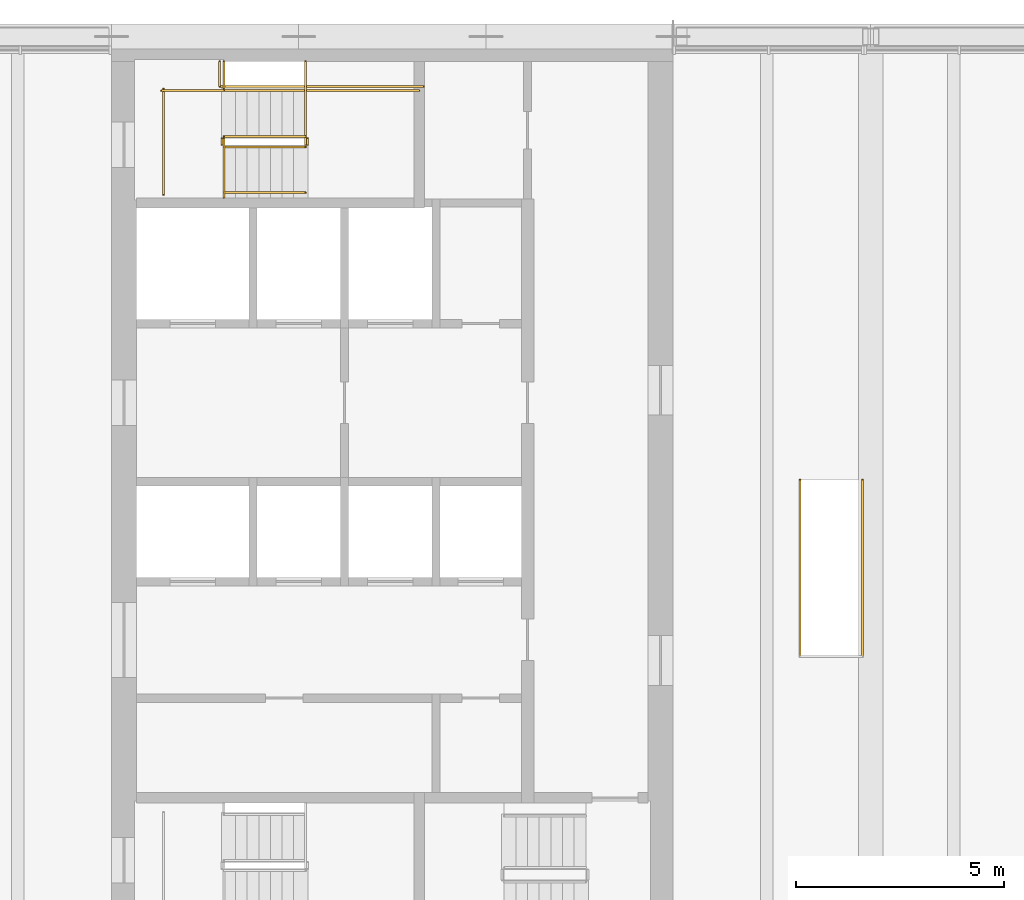
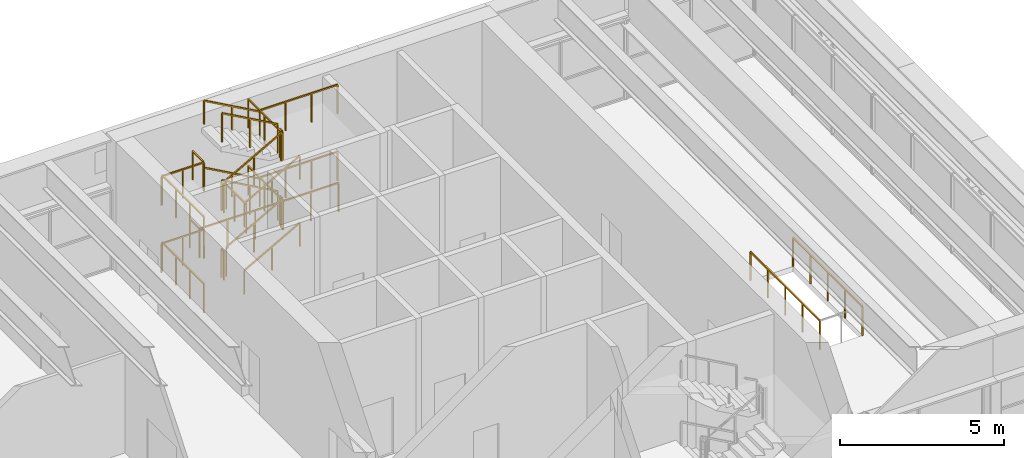
# One storey, part 12 of 12: 26 railings.
"""IFC4 building model written with IfcOpenShell, lengths in metres."""

from ifc_helpers import new_model, si_unit, direction, frame, origin, origin_2d, place, context, subcontext, project, spatial, rectangle, extrude, material, type_object, element, save


model = new_model("IFC4")

# Units and contexts
model_context = context("Model", 3, precision=1e-05, world=origin(), true_north=direction((0.0, 1.0)))
body_context = subcontext(model_context, "Body", "Model", "MODEL_VIEW")
ifc_project = project(units=[si_unit("LENGTHUNIT", "METRE"), si_unit("AREAUNIT", "SQUARE_METRE"), si_unit("VOLUMEUNIT", "CUBIC_METRE"), si_unit("PLANEANGLEUNIT", "RADIAN"), si_unit("MASSUNIT", "GRAM", prefix="KILO")], contexts=[model_context])

# Site, building, storey
site_placement = place(None, origin())
site = spatial("IfcSite", under=ifc_project, at=site_placement, CompositionType="ELEMENT")
building_placement = place(site_placement, origin())
building = spatial("IfcBuilding", under=site, at=building_placement, Name="Sennacour Bend Tower", CompositionType="ELEMENT")
storey_placement = place(building_placement, frame((0.0, 0.0, 350.5)))
storey = spatial("IfcBuildingStorey", under=building, at=storey_placement, Name="L80", CompositionType="ELEMENT", Elevation=350.5)

# Railings
ifc_material = material(Name="Stainless steel", Category="steel")
railing_type_1 = type_object("IfcRailingType", Name="RL-GUARD-1100", PredefinedType="GUARDRAIL", material=ifc_material)
railing_1_placement = place(storey_placement, frame((56.699951171875, 19.85009765625, 0.15625)))
element("IfcRailing", 1, at=railing_1_placement, inside=storey, type_object=railing_type_1, Name="L80 SA2 stair guard 1", PredefinedType="GUARDRAIL", context=body_context, shape_type="SweptSolid", body=[
    extrude(rectangle(XDim=0.048095703125, YDim=0.048095703125, at=origin_2d()), frame((0.0, 0.0, 1.076171875), z_axis=(0.873232148454, 0.0, 0.487304437602), x_axis=(0.0, 1.0, 0.0)), (0.0, 0.0, 1.0), 2.244384765625),
    extrude(rectangle(XDim=0.0419921875, YDim=0.0419921875, at=origin_2d()), origin(), (0.0, 0.0, 1.0), 1.052001953125),
    extrude(rectangle(XDim=0.0419921875, YDim=0.0419921875, at=origin_2d()), frame((0.97998046875, 0.0, 0.546875)), (0.0, 0.0, 1.0), 1.052001953125),
    extrude(rectangle(XDim=0.0419921875, YDim=0.0419921875, at=origin_2d()), frame((1.9599609375, 0.0, 1.09375)), (0.0, 0.0, 1.0), 1.052001953125),
])
railing_2_placement = place(storey_placement, frame((58.7099609375, 19.89990234375, 1.25)))
element("IfcRailing", 2, at=railing_2_placement, inside=storey, type_object=railing_type_1, Name="L80 SA2 stair guard 2", PredefinedType="GUARDRAIL", context=body_context, shape_type="SweptSolid", body=[
    extrude(rectangle(XDim=0.048095703125, YDim=0.048095703125, at=origin_2d()), frame((0.0, 0.0, 1.076171875), z_axis=(0.0, 1.0, 0.0), x_axis=(-1.0, 0.0, 0.0)), (0.0, 0.0, 1.0), 0.150146484375),
    extrude(rectangle(XDim=0.0419921875, YDim=0.0419921875, at=origin_2d()), origin(), (0.0, 0.0, 1.0), 1.052001953125),
    extrude(rectangle(XDim=0.0419921875, YDim=0.0419921875, at=origin_2d()), frame((0.0, 0.150146484375, 0.0)), (0.0, 0.0, 1.0), 1.052001953125),
])
railing_3_placement = place(storey_placement, frame((58.659912109375, 21.199951171875, 1.25)))
element("IfcRailing", 3, at=railing_3_placement, inside=storey, type_object=railing_type_1, Name="L80 SA2 stair guard 3", PredefinedType="GUARDRAIL", context=body_context, shape_type="SweptSolid", body=[
    extrude(rectangle(XDim=0.048095703125, YDim=0.048095703125, at=origin_2d()), frame((0.0, 0.0, 1.076171875), z_axis=(1.0, 0.0, 0.0), x_axis=(0.0, 1.0, 0.0)), (0.0, 0.0, 1.0), 2.739990234375),
    extrude(rectangle(XDim=0.0419921875, YDim=0.0419921875, at=origin_2d()), origin(), (0.0, 0.0, 1.0), 1.052001953125),
    extrude(rectangle(XDim=0.0419921875, YDim=0.0419921875, at=origin_2d()), frame((0.913330078125, 0.0, 0.0)), (0.0, 0.0, 1.0), 1.052001953125),
    extrude(rectangle(XDim=0.0419921875, YDim=0.0419921875, at=origin_2d()), frame((1.82666015625, 0.0, 0.0)), (0.0, 0.0, 1.0), 1.052001953125),
    extrude(rectangle(XDim=0.0419921875, YDim=0.0419921875, at=origin_2d()), frame((2.739990234375, 0.0, 0.0)), (0.0, 0.0, 1.0), 1.052001953125),
])
railing_4_placement = place(storey_placement, frame((58.659912109375, 20.10009765625, 1.40625)))
element("IfcRailing", 4, at=railing_4_placement, inside=storey, type_object=railing_type_1, Name="L80 SA2 stair guard 4", PredefinedType="GUARDRAIL", context=body_context, shape_type="SweptSolid", body=[
    extrude(rectangle(XDim=0.048095703125, YDim=0.048095703125, at=origin_2d()), frame((0.0, 0.0, 1.076171875), z_axis=(-0.873232148454, 0.0, 0.487304437602), x_axis=(0.0, -1.0, 0.0)), (0.0, 0.0, 1.0), 2.244384765625),
    extrude(rectangle(XDim=0.0419921875, YDim=0.0419921875, at=origin_2d()), origin(), (0.0, 0.0, 1.0), 1.052001953125),
    extrude(rectangle(XDim=0.0419921875, YDim=0.0419921875, at=origin_2d()), frame((-0.97998046875, 0.0, 0.546875)), (0.0, 0.0, 1.0), 1.052001953125),
    extrude(rectangle(XDim=0.0419921875, YDim=0.0419921875, at=origin_2d()), frame((-1.9599609375, 0.0, 1.09375)), (0.0, 0.0, 1.0), 1.052001953125),
])
railing_5_placement = place(storey_placement, frame((56.64990234375, 19.89990234375, 2.5)))
element("IfcRailing", 5, at=railing_5_placement, inside=storey, type_object=railing_type_1, Name="L80 SA2 stair guard 5", PredefinedType="GUARDRAIL", context=body_context, shape_type="SweptSolid", body=[
    extrude(rectangle(XDim=0.048095703125, YDim=0.048095703125, at=origin_2d()), frame((0.0, 0.0, 1.076171875), z_axis=(0.0, 1.0, 0.0), x_axis=(-1.0, 0.0, 0.0)), (0.0, 0.0, 1.0), 0.150146484375),
    extrude(rectangle(XDim=0.0419921875, YDim=0.0419921875, at=origin_2d()), origin(), (0.0, 0.0, 1.0), 1.052001953125),
    extrude(rectangle(XDim=0.0419921875, YDim=0.0419921875, at=origin_2d()), frame((0.0, 0.150146484375, 0.0)), (0.0, 0.0, 1.0), 1.052001953125),
])
railing_6_placement = place(storey_placement, frame((55.199951171875, 21.199951171875, 2.5)))
element("IfcRailing", 6, at=railing_6_placement, inside=storey, type_object=railing_type_1, Name="L80 SA2 stair guard 6", PredefinedType="GUARDRAIL", context=body_context, shape_type="SweptSolid", body=[
    extrude(rectangle(XDim=0.048095703125, YDim=0.048095703125, at=origin_2d()), frame((0.0, 0.0, 1.076171875), z_axis=(1.0, 0.0, 0.0), x_axis=(0.0, 1.0, 0.0)), (0.0, 0.0, 1.0), 1.5),
    extrude(rectangle(XDim=0.0419921875, YDim=0.0419921875, at=origin_2d()), origin(), (0.0, 0.0, 1.0), 1.052001953125),
    extrude(rectangle(XDim=0.0419921875, YDim=0.0419921875, at=origin_2d()), frame((0.75, 0.0, 0.0)), (0.0, 0.0, 1.0), 1.052001953125),
    extrude(rectangle(XDim=0.0419921875, YDim=0.0419921875, at=origin_2d()), frame((1.5, 0.0, 0.0)), (0.0, 0.0, 1.0), 1.052001953125),
])
railing_7_placement = place(storey_placement, frame((55.25, 18.699951171875, 2.5)))
element("IfcRailing", 7, at=railing_7_placement, inside=storey, type_object=railing_type_1, Name="L80 SA2 stair guard 7", PredefinedType="GUARDRAIL", context=body_context, shape_type="SweptSolid", body=[
    extrude(rectangle(XDim=0.048095703125, YDim=0.048095703125, at=origin_2d()), frame((0.0, 0.0, 1.076171875), z_axis=(0.0, 1.0, 0.0), x_axis=(-1.0, 0.0, 0.0)), (0.0, 0.0, 1.0), 2.550048828125),
    extrude(rectangle(XDim=0.0419921875, YDim=0.0419921875, at=origin_2d()), origin(), (0.0, 0.0, 1.0), 1.052001953125),
    extrude(rectangle(XDim=0.0419921875, YDim=0.0419921875, at=origin_2d()), frame((0.0, 0.85009765625, 0.0)), (0.0, 0.0, 1.0), 1.052001953125),
    extrude(rectangle(XDim=0.0419921875, YDim=0.0419921875, at=origin_2d()), frame((0.0, 1.699951171875, 0.0)), (0.0, 0.0, 1.0), 1.052001953125),
    extrude(rectangle(XDim=0.0419921875, YDim=0.0419921875, at=origin_2d()), frame((0.0, 2.550048828125, 0.0)), (0.0, 0.0, 1.0), 1.052001953125),
])
railing_8_placement = place(storey_placement, frame((56.699951171875, 19.85009765625, 2.65625)))
element("IfcRailing", 8, at=railing_8_placement, inside=storey, type_object=railing_type_1, Name="L80 SA2 stair guard 8", PredefinedType="GUARDRAIL", context=body_context, shape_type="SweptSolid", body=[
    extrude(rectangle(XDim=0.048095703125, YDim=0.048095703125, at=origin_2d()), frame((0.0, 0.0, 1.076171875), z_axis=(0.873232148454, 0.0, 0.487304437602), x_axis=(0.0, 1.0, 0.0)), (0.0, 0.0, 1.0), 2.244384765625),
    extrude(rectangle(XDim=0.0419921875, YDim=0.0419921875, at=origin_2d()), origin(), (0.0, 0.0, 1.0), 1.052001953125),
    extrude(rectangle(XDim=0.0419921875, YDim=0.0419921875, at=origin_2d()), frame((0.97998046875, 0.0, 0.546875)), (0.0, 0.0, 1.0), 1.052001953125),
    extrude(rectangle(XDim=0.0419921875, YDim=0.0419921875, at=origin_2d()), frame((1.9599609375, 0.0, 1.09375)), (0.0, 0.0, 1.0), 1.052001953125),
])
railing_9_placement = place(storey_placement, frame((58.7099609375, 19.89990234375, 3.75)))
element("IfcRailing", 9, at=railing_9_placement, inside=storey, type_object=railing_type_1, Name="L80 SA2 stair guard 9", PredefinedType="GUARDRAIL", context=body_context, shape_type="SweptSolid", body=[
    extrude(rectangle(XDim=0.048095703125, YDim=0.048095703125, at=origin_2d()), frame((0.0, 0.0, 1.076171875), z_axis=(0.0, 1.0, 0.0), x_axis=(-1.0, 0.0, 0.0)), (0.0, 0.0, 1.0), 0.150146484375),
    extrude(rectangle(XDim=0.0419921875, YDim=0.0419921875, at=origin_2d()), origin(), (0.0, 0.0, 1.0), 1.052001953125),
    extrude(rectangle(XDim=0.0419921875, YDim=0.0419921875, at=origin_2d()), frame((0.0, 0.150146484375, 0.0)), (0.0, 0.0, 1.0), 1.052001953125),
])
railing_10_placement = place(storey_placement, frame((58.659912109375, 21.199951171875, 3.75)))
element("IfcRailing", 10, at=railing_10_placement, inside=storey, type_object=railing_type_1, Name="L80 SA2 stair guard 10", PredefinedType="GUARDRAIL", context=body_context, shape_type="SweptSolid", body=[
    extrude(rectangle(XDim=0.048095703125, YDim=0.048095703125, at=origin_2d()), frame((0.0, 0.0, 1.076171875), z_axis=(1.0, 0.0, 0.0), x_axis=(0.0, 1.0, 0.0)), (0.0, 0.0, 1.0), 2.739990234375),
    extrude(rectangle(XDim=0.0419921875, YDim=0.0419921875, at=origin_2d()), origin(), (0.0, 0.0, 1.0), 1.052001953125),
    extrude(rectangle(XDim=0.0419921875, YDim=0.0419921875, at=origin_2d()), frame((0.913330078125, 0.0, 0.0)), (0.0, 0.0, 1.0), 1.052001953125),
    extrude(rectangle(XDim=0.0419921875, YDim=0.0419921875, at=origin_2d()), frame((1.82666015625, 0.0, 0.0)), (0.0, 0.0, 1.0), 1.052001953125),
    extrude(rectangle(XDim=0.0419921875, YDim=0.0419921875, at=origin_2d()), frame((2.739990234375, 0.0, 0.0)), (0.0, 0.0, 1.0), 1.052001953125),
])
railing_11_placement = place(storey_placement, frame((58.659912109375, 20.10009765625, 3.90625)))
element("IfcRailing", 11, at=railing_11_placement, inside=storey, type_object=railing_type_1, Name="L80 SA2 stair guard 11", PredefinedType="GUARDRAIL", context=body_context, shape_type="SweptSolid", body=[
    extrude(rectangle(XDim=0.048095703125, YDim=0.048095703125, at=origin_2d()), frame((0.0, 0.0, 1.076171875), z_axis=(-0.873232148454, 0.0, 0.487304437602), x_axis=(0.0, -1.0, 0.0)), (0.0, 0.0, 1.0), 2.244384765625),
    extrude(rectangle(XDim=0.0419921875, YDim=0.0419921875, at=origin_2d()), origin(), (0.0, 0.0, 1.0), 1.052001953125),
    extrude(rectangle(XDim=0.0419921875, YDim=0.0419921875, at=origin_2d()), frame((-0.97998046875, 0.0, 0.546875)), (0.0, 0.0, 1.0), 1.052001953125),
    extrude(rectangle(XDim=0.0419921875, YDim=0.0419921875, at=origin_2d()), frame((-1.9599609375, 0.0, 1.09375)), (0.0, 0.0, 1.0), 1.052001953125),
])
railing_12_placement = place(storey_placement, frame((56.64990234375, 19.89990234375, 0.0)))
element("IfcRailing", 12, at=railing_12_placement, inside=storey, type_object=railing_type_1, Name="L80 SA2 stair guard 12", PredefinedType="GUARDRAIL", context=body_context, shape_type="SweptSolid", body=[
    extrude(rectangle(XDim=0.048095703125, YDim=0.048095703125, at=origin_2d()), frame((0.0, 0.0, 1.076171875), z_axis=(0.0, 1.0, 0.0), x_axis=(-1.0, 0.0, 0.0)), (0.0, 0.0, 1.0), 0.150146484375),
    extrude(rectangle(XDim=0.0419921875, YDim=0.0419921875, at=origin_2d()), origin(), (0.0, 0.0, 1.0), 1.052001953125),
    extrude(rectangle(XDim=0.0419921875, YDim=0.0419921875, at=origin_2d()), frame((0.0, 0.150146484375, 0.0)), (0.0, 0.0, 1.0), 1.052001953125),
])
railing_13_placement = place(storey_placement, frame((55.199951171875, 21.199951171875, 0.0)))
element("IfcRailing", 13, at=railing_13_placement, inside=storey, type_object=railing_type_1, Name="L80 SA2 stair guard 13", PredefinedType="GUARDRAIL", context=body_context, shape_type="SweptSolid", body=[
    extrude(rectangle(XDim=0.048095703125, YDim=0.048095703125, at=origin_2d()), frame((0.0, 0.0, 1.076171875), z_axis=(1.0, 0.0, 0.0), x_axis=(0.0, 1.0, 0.0)), (0.0, 0.0, 1.0), 1.5),
    extrude(rectangle(XDim=0.0419921875, YDim=0.0419921875, at=origin_2d()), origin(), (0.0, 0.0, 1.0), 1.052001953125),
    extrude(rectangle(XDim=0.0419921875, YDim=0.0419921875, at=origin_2d()), frame((0.75, 0.0, 0.0)), (0.0, 0.0, 1.0), 1.052001953125),
    extrude(rectangle(XDim=0.0419921875, YDim=0.0419921875, at=origin_2d()), frame((1.5, 0.0, 0.0)), (0.0, 0.0, 1.0), 1.052001953125),
])
railing_14_placement = place(storey_placement, frame((55.25, 18.699951171875, 0.0)))
element("IfcRailing", 14, at=railing_14_placement, inside=storey, type_object=railing_type_1, Name="L80 SA2 stair guard 14", PredefinedType="GUARDRAIL", context=body_context, shape_type="SweptSolid", body=[
    extrude(rectangle(XDim=0.048095703125, YDim=0.048095703125, at=origin_2d()), frame((0.0, 0.0, 1.076171875), z_axis=(0.0, 1.0, 0.0), x_axis=(-1.0, 0.0, 0.0)), (0.0, 0.0, 1.0), 2.550048828125),
    extrude(rectangle(XDim=0.0419921875, YDim=0.0419921875, at=origin_2d()), origin(), (0.0, 0.0, 1.0), 1.052001953125),
    extrude(rectangle(XDim=0.0419921875, YDim=0.0419921875, at=origin_2d()), frame((0.0, 0.85009765625, 0.0)), (0.0, 0.0, 1.0), 1.052001953125),
    extrude(rectangle(XDim=0.0419921875, YDim=0.0419921875, at=origin_2d()), frame((0.0, 1.699951171875, 0.0)), (0.0, 0.0, 1.0), 1.052001953125),
    extrude(rectangle(XDim=0.0419921875, YDim=0.0419921875, at=origin_2d()), frame((0.0, 2.550048828125, 0.0)), (0.0, 0.0, 1.0), 1.052001953125),
])
railing_15_placement = place(storey_placement, frame((56.60009765625, 21.300048828125, 0.0)))
element("IfcRailing", 15, at=railing_15_placement, inside=storey, type_object=railing_type_1, Name="L80 SA2 stair guard 15", PredefinedType="GUARDRAIL", context=body_context, shape_type="SweptSolid", body=[
    extrude(rectangle(XDim=0.048095703125, YDim=0.048095703125, at=origin_2d()), frame((0.0, 0.0, 1.076171875), z_axis=(1.0, 0.0, 0.0), x_axis=(0.0, 1.0, 0.0)), (0.0, 0.0, 1.0), 4.89990234375),
    extrude(rectangle(XDim=0.0419921875, YDim=0.0419921875, at=origin_2d()), origin(), (0.0, 0.0, 1.0), 1.052001953125),
    extrude(rectangle(XDim=0.0419921875, YDim=0.0419921875, at=origin_2d()), frame((0.97998046875, 0.0, 0.0)), (0.0, 0.0, 1.0), 1.052001953125),
    extrude(rectangle(XDim=0.0419921875, YDim=0.0419921875, at=origin_2d()), frame((1.9599609375, 0.0, 0.0)), (0.0, 0.0, 1.0), 1.052001953125),
    extrude(rectangle(XDim=0.0419921875, YDim=0.0419921875, at=origin_2d()), frame((2.93994140625, 0.0, 0.0)), (0.0, 0.0, 1.0), 1.052001953125),
    extrude(rectangle(XDim=0.0419921875, YDim=0.0419921875, at=origin_2d()), frame((3.919921875, 0.0, 0.0)), (0.0, 0.0, 1.0), 1.052001953125),
    extrude(rectangle(XDim=0.0419921875, YDim=0.0419921875, at=origin_2d()), frame((4.89990234375, 0.0, 0.0)), (0.0, 0.0, 1.0), 1.052001953125),
])
railing_16_placement = place(storey_placement, frame((58.659912109375, 19.89990234375, 1.25)))
element("IfcRailing", 16, at=railing_16_placement, inside=storey, type_object=railing_type_1, Name="L80 SA2 landing edge guard 106", PredefinedType="GUARDRAIL", context=body_context, shape_type="SweptSolid", body=[
    extrude(rectangle(XDim=0.048095703125, YDim=0.048095703125, at=origin_2d()), frame((0.0, 0.0, 1.076171875), z_axis=(0.0, 1.0, 0.0), x_axis=(-1.0, 0.0, 0.0)), (0.0, 0.0, 1.0), 2.0),
    extrude(rectangle(XDim=0.0419921875, YDim=0.0419921875, at=origin_2d()), origin(), (0.0, 0.0, 1.0), 1.052001953125),
    extrude(rectangle(XDim=0.0419921875, YDim=0.0419921875, at=origin_2d()), frame((0.0, 1.0, 0.0)), (0.0, 0.0, 1.0), 1.052001953125),
    extrude(rectangle(XDim=0.0419921875, YDim=0.0419921875, at=origin_2d()), frame((0.0, 2.0, 0.0)), (0.0, 0.0, 1.0), 1.052001953125),
])
railing_17_placement = place(storey_placement, frame((56.699951171875, 21.89990234375, 2.5)))
element("IfcRailing", 17, at=railing_17_placement, inside=storey, type_object=railing_type_1, Name="L80 SA2 landing edge guard 107", PredefinedType="GUARDRAIL", context=body_context, shape_type="SweptSolid", body=[
    extrude(rectangle(XDim=0.048095703125, YDim=0.048095703125, at=origin_2d()), frame((0.0, 0.0, 1.076171875), z_axis=(0.0, -1.0, 0.0), x_axis=(1.0, 0.0, 0.0)), (0.0, 0.0, 1.0), 0.64990234375),
    extrude(rectangle(XDim=0.0419921875, YDim=0.0419921875, at=origin_2d()), origin(), (0.0, 0.0, 1.0), 1.052001953125),
    extrude(rectangle(XDim=0.0419921875, YDim=0.0419921875, at=origin_2d()), frame((0.0, -0.64990234375, 0.0)), (0.0, 0.0, 1.0), 1.052001953125),
])
railing_18_placement = place(storey_placement, frame((56.699951171875, 20.050048828125, 2.5)))
element("IfcRailing", 18, at=railing_18_placement, inside=storey, type_object=railing_type_1, Name="L80 SA2 landing edge guard 108", PredefinedType="GUARDRAIL", context=body_context, shape_type="SweptSolid", body=[
    extrude(rectangle(XDim=0.048095703125, YDim=0.048095703125, at=origin_2d()), frame((0.0, 0.0, 1.076171875), z_axis=(0.0, -1.0, 0.0), x_axis=(1.0, 0.0, 0.0)), (0.0, 0.0, 1.0), 1.425048828125),
    extrude(rectangle(XDim=0.0419921875, YDim=0.0419921875, at=origin_2d()), origin(), (0.0, 0.0, 1.0), 1.052001953125),
    extrude(rectangle(XDim=0.0419921875, YDim=0.0419921875, at=origin_2d()), frame((0.0, -0.71240234375, 0.0)), (0.0, 0.0, 1.0), 1.052001953125),
    extrude(rectangle(XDim=0.0419921875, YDim=0.0419921875, at=origin_2d()), frame((0.0, -1.425048828125, 0.0)), (0.0, 0.0, 1.0), 1.052001953125),
])
railing_19_placement = place(storey_placement, frame((58.659912109375, 19.89990234375, 3.75)))
element("IfcRailing", 19, at=railing_19_placement, inside=storey, type_object=railing_type_1, Name="L80 SA2 landing edge guard 109", PredefinedType="GUARDRAIL", context=body_context, shape_type="SweptSolid", body=[
    extrude(rectangle(XDim=0.048095703125, YDim=0.048095703125, at=origin_2d()), frame((0.0, 0.0, 1.076171875), z_axis=(0.0, 1.0, 0.0), x_axis=(-1.0, 0.0, 0.0)), (0.0, 0.0, 1.0), 2.0),
    extrude(rectangle(XDim=0.0419921875, YDim=0.0419921875, at=origin_2d()), origin(), (0.0, 0.0, 1.0), 1.052001953125),
    extrude(rectangle(XDim=0.0419921875, YDim=0.0419921875, at=origin_2d()), frame((0.0, 1.0, 0.0)), (0.0, 0.0, 1.0), 1.052001953125),
    extrude(rectangle(XDim=0.0419921875, YDim=0.0419921875, at=origin_2d()), frame((0.0, 2.0, 0.0)), (0.0, 0.0, 1.0), 1.052001953125),
])
railing_20_placement = place(storey_placement, frame((56.60009765625, 21.300048828125, 0.0)))
element("IfcRailing", 20, at=railing_20_placement, inside=storey, type_object=railing_type_1, Name="L80 SA2 landing edge guard 134", PredefinedType="GUARDRAIL", context=body_context, shape_type="SweptSolid", body=[
    extrude(rectangle(XDim=0.048095703125, YDim=0.048095703125, at=origin_2d()), frame((0.0, 0.0, 1.076171875), z_axis=(0.0, 1.0, 0.0), x_axis=(-1.0, 0.0, 0.0)), (0.0, 0.0, 1.0), 0.599853515625),
    extrude(rectangle(XDim=0.0419921875, YDim=0.0419921875, at=origin_2d()), origin(), (0.0, 0.0, 1.0), 1.052001953125),
    extrude(rectangle(XDim=0.0419921875, YDim=0.0419921875, at=origin_2d()), frame((0.0, 0.599853515625, 0.0)), (0.0, 0.0, 1.0), 1.052001953125),
])
railing_21_placement = place(storey_placement, frame((70.550048828125, 11.840087890625, 0.0)))
element("IfcRailing", 21, at=railing_21_placement, inside=storey, type_object=railing_type_1, Name="L80 stair opening guard", PredefinedType="GUARDRAIL", context=body_context, shape_type="SweptSolid", body=[
    extrude(rectangle(XDim=0.048095703125, YDim=0.048095703125, at=origin_2d()), frame((0.0, 0.0, 1.076171875), z_axis=(0.0, -1.0, 0.0), x_axis=(1.0, 0.0, 0.0)), (0.0, 0.0, 1.0), 4.239990234375),
    extrude(rectangle(XDim=0.0419921875, YDim=0.0419921875, at=origin_2d()), origin(), (0.0, 0.0, 1.0), 1.052001953125),
    extrude(rectangle(XDim=0.0419921875, YDim=0.0419921875, at=origin_2d()), frame((0.0, -1.06005859375, 0.0)), (0.0, 0.0, 1.0), 1.052001953125),
    extrude(rectangle(XDim=0.0419921875, YDim=0.0419921875, at=origin_2d()), frame((0.0, -2.1201171875, 0.0)), (0.0, 0.0, 1.0), 1.052001953125),
    extrude(rectangle(XDim=0.0419921875, YDim=0.0419921875, at=origin_2d()), frame((0.0, -3.179931640625, 0.0)), (0.0, 0.0, 1.0), 1.052001953125),
    extrude(rectangle(XDim=0.0419921875, YDim=0.0419921875, at=origin_2d()), frame((0.0, -4.239990234375, 0.0)), (0.0, 0.0, 1.0), 1.052001953125),
])
railing_22_placement = place(storey_placement, frame((72.050048828125, 7.60009765625, 0.0)))
element("IfcRailing", 22, at=railing_22_placement, inside=storey, type_object=railing_type_1, Name="L80 stair opening guard", PredefinedType="GUARDRAIL", context=body_context, shape_type="SweptSolid", body=[
    extrude(rectangle(XDim=0.048095703125, YDim=0.048095703125, at=origin_2d()), frame((0.0, 0.0, 1.076171875), z_axis=(0.0, 1.0, 0.0), x_axis=(-1.0, 0.0, 0.0)), (0.0, 0.0, 1.0), 4.239990234375),
    extrude(rectangle(XDim=0.0419921875, YDim=0.0419921875, at=origin_2d()), origin(), (0.0, 0.0, 1.0), 1.052001953125),
    extrude(rectangle(XDim=0.0419921875, YDim=0.0419921875, at=origin_2d()), frame((0.0, 1.06005859375, 0.0)), (0.0, 0.0, 1.0), 1.052001953125),
    extrude(rectangle(XDim=0.0419921875, YDim=0.0419921875, at=origin_2d()), frame((0.0, 2.1201171875, 0.0)), (0.0, 0.0, 1.0), 1.052001953125),
    extrude(rectangle(XDim=0.0419921875, YDim=0.0419921875, at=origin_2d()), frame((0.0, 3.179931640625, 0.0)), (0.0, 0.0, 1.0), 1.052001953125),
    extrude(rectangle(XDim=0.0419921875, YDim=0.0419921875, at=origin_2d()), frame((0.0, 4.239990234375, 0.0)), (0.0, 0.0, 1.0), 1.052001953125),
])
railing_type_2 = type_object("IfcRailingType", Name="RL-HANDRAIL-900", PredefinedType="HANDRAIL", material=ifc_material)
railing_23_placement = place(storey_placement, frame((56.699951171875, 18.75, 0.15625)))
element("IfcRailing", 23, at=railing_23_placement, inside=storey, type_object=railing_type_2, Name="L80 SA2 stair handrail 1", PredefinedType="HANDRAIL", context=body_context, shape_type="SweptSolid", body=[
    extrude(rectangle(XDim=0.048095703125, YDim=0.048095703125, at=origin_2d()), frame((0.0, 0.0, 0.8759765625), z_axis=(0.873232148454, 0.0, 0.487304437602), x_axis=(0.0, 1.0, 0.0)), (0.0, 0.0, 1.0), 2.244384765625),
    extrude(rectangle(XDim=0.0419921875, YDim=0.0419921875, at=origin_2d()), origin(), (0.0, 0.0, 1.0), 0.851806640625),
    extrude(rectangle(XDim=0.0419921875, YDim=0.0419921875, at=origin_2d()), frame((0.97998046875, 0.0, 0.546875)), (0.0, 0.0, 1.0), 0.851806640625),
    extrude(rectangle(XDim=0.0419921875, YDim=0.0419921875, at=origin_2d()), frame((1.9599609375, 0.0, 1.09375)), (0.0, 0.0, 1.0), 0.851806640625),
])
railing_24_placement = place(storey_placement, frame((58.659912109375, 21.199951171875, 1.40625)))
element("IfcRailing", 24, at=railing_24_placement, inside=storey, type_object=railing_type_2, Name="L80 SA2 stair handrail 2", PredefinedType="HANDRAIL", context=body_context, shape_type="SweptSolid", body=[
    extrude(rectangle(XDim=0.048095703125, YDim=0.048095703125, at=origin_2d()), frame((0.0, 0.0, 0.8759765625), z_axis=(-0.873232148454, 0.0, 0.487304437602), x_axis=(0.0, -1.0, 0.0)), (0.0, 0.0, 1.0), 2.244384765625),
    extrude(rectangle(XDim=0.0419921875, YDim=0.0419921875, at=origin_2d()), origin(), (0.0, 0.0, 1.0), 0.851806640625),
    extrude(rectangle(XDim=0.0419921875, YDim=0.0419921875, at=origin_2d()), frame((-0.97998046875, 0.0, 0.546875)), (0.0, 0.0, 1.0), 0.851806640625),
    extrude(rectangle(XDim=0.0419921875, YDim=0.0419921875, at=origin_2d()), frame((-1.9599609375, 0.0, 1.09375)), (0.0, 0.0, 1.0), 0.851806640625),
])
railing_25_placement = place(storey_placement, frame((56.699951171875, 18.75, 2.65625)))
element("IfcRailing", 25, at=railing_25_placement, inside=storey, type_object=railing_type_2, Name="L80 SA2 stair handrail 3", PredefinedType="HANDRAIL", context=body_context, shape_type="SweptSolid", body=[
    extrude(rectangle(XDim=0.048095703125, YDim=0.048095703125, at=origin_2d()), frame((0.0, 0.0, 0.8759765625), z_axis=(0.873232148454, 0.0, 0.487304437602), x_axis=(0.0, 1.0, 0.0)), (0.0, 0.0, 1.0), 2.244384765625),
    extrude(rectangle(XDim=0.0419921875, YDim=0.0419921875, at=origin_2d()), origin(), (0.0, 0.0, 1.0), 0.851806640625),
    extrude(rectangle(XDim=0.0419921875, YDim=0.0419921875, at=origin_2d()), frame((0.97998046875, 0.0, 0.546875)), (0.0, 0.0, 1.0), 0.851806640625),
    extrude(rectangle(XDim=0.0419921875, YDim=0.0419921875, at=origin_2d()), frame((1.9599609375, 0.0, 1.09375)), (0.0, 0.0, 1.0), 0.851806640625),
])
railing_26_placement = place(storey_placement, frame((58.659912109375, 21.199951171875, 3.90625)))
element("IfcRailing", 26, at=railing_26_placement, inside=storey, type_object=railing_type_2, Name="L80 SA2 stair handrail 4", PredefinedType="HANDRAIL", context=body_context, shape_type="SweptSolid", body=[
    extrude(rectangle(XDim=0.048095703125, YDim=0.048095703125, at=origin_2d()), frame((0.0, 0.0, 0.8759765625), z_axis=(-0.873232148454, 0.0, 0.487304437602), x_axis=(0.0, -1.0, 0.0)), (0.0, 0.0, 1.0), 2.244384765625),
    extrude(rectangle(XDim=0.0419921875, YDim=0.0419921875, at=origin_2d()), origin(), (0.0, 0.0, 1.0), 0.851806640625),
    extrude(rectangle(XDim=0.0419921875, YDim=0.0419921875, at=origin_2d()), frame((-0.97998046875, 0.0, 0.546875)), (0.0, 0.0, 1.0), 0.851806640625),
    extrude(rectangle(XDim=0.0419921875, YDim=0.0419921875, at=origin_2d()), frame((-1.9599609375, 0.0, 1.09375)), (0.0, 0.0, 1.0), 0.851806640625),
])

save(model, "model.ifc")
